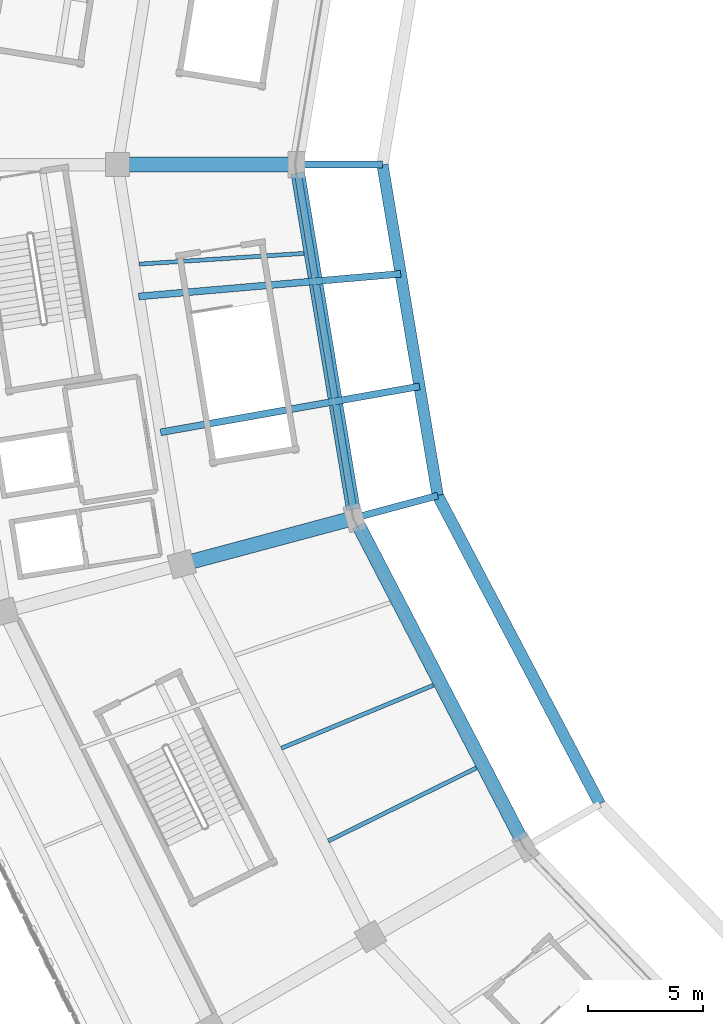
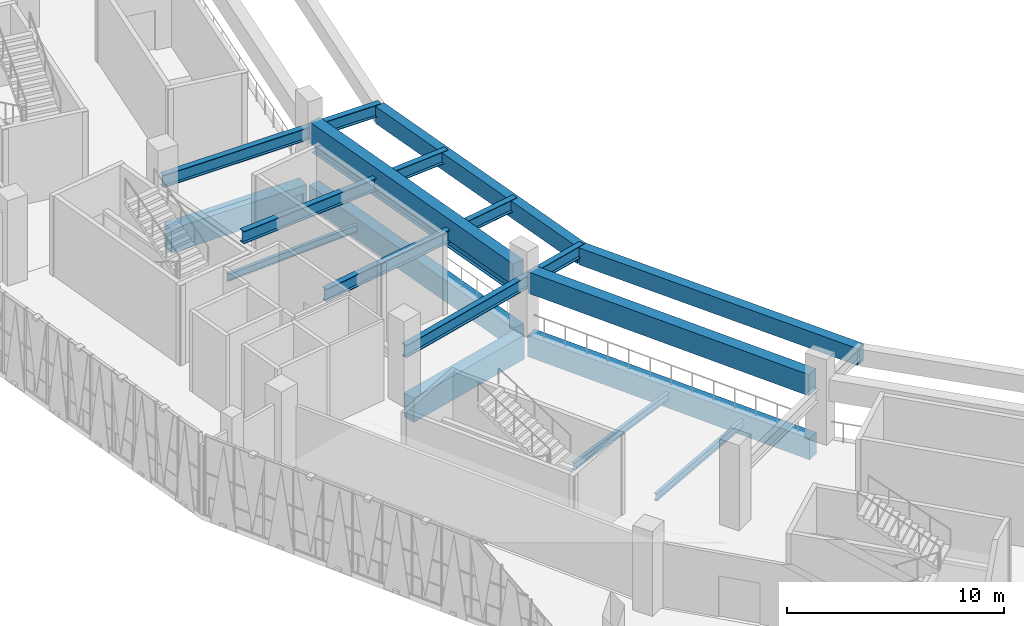
# One storey, part 21 of 179: 16 beams.
"""IFC4 building model written with IfcOpenShell, lengths in metres."""

from ifc_helpers import new_model, si_unit, direction, frame, origin, origin_2d, place, context, subcontext, project, spatial, rectangle, i_section, extrude, material, material_profile, profile_set, type_object, element, save


model = new_model("IFC4")

# Units and contexts
model_context = context("Model", 3, precision=1e-05, world=origin(), true_north=direction((0.0, 1.0)))
body_context = subcontext(model_context, "Body", "Model", "MODEL_VIEW")
ifc_project = project(units=[si_unit("LENGTHUNIT", "METRE"), si_unit("AREAUNIT", "SQUARE_METRE"), si_unit("VOLUMEUNIT", "CUBIC_METRE"), si_unit("PLANEANGLEUNIT", "RADIAN"), si_unit("MASSUNIT", "GRAM", prefix="KILO")], contexts=[model_context])

# Site, building, storey
site_placement = place(None, origin())
site = spatial("IfcSite", under=ifc_project, at=site_placement, CompositionType="ELEMENT")
building_placement = place(site_placement, origin())
building = spatial("IfcBuilding", under=site, at=building_placement, Name="Zevraka Park Crest Stadium", CompositionType="ELEMENT")
storey_placement = place(building_placement, frame((0.0, 0.0, 10.199951171875)))
storey = spatial("IfcBuildingStorey", under=building, at=storey_placement, Name="L02", CompositionType="ELEMENT", Elevation=10.199951171875)

# Beams
ifc_material_1 = material(Name="Concrete C40/50", Category="concrete")
ifc_material_profile_1 = material_profile(ifc_material_1, rectangle(XDim=0.64990234375, YDim=1.35009765625, at=origin_2d()), Name="RC 1350x650")
ifc_profile_set_1 = profile_set([ifc_material_profile_1], Name="Concrete C40/50")
beam_type_1 = type_object("IfcBeamType", Name="BG01", PredefinedType="BEAM", material=ifc_profile_set_1)
beam_1_placement = place(storey_placement, frame((37.199951171875, 92.0, -0.68505859375), z_axis=(-1.0, 0.0, 0.0), x_axis=(0.0, -1.0, 0.0)))
element("IfcBeam", 1, at=beam_1_placement, inside=storey, type_object=beam_type_1, Name="Radial Girder BG01 L02-BC-12", PredefinedType="BEAM", context=body_context, shape_type="SweptSolid", body=[
    extrude(rectangle(XDim=0.64990234375, YDim=1.35009765625, at=origin_2d()), origin(), (0.0, 0.0, 1.0), 7.199951171875),
])
beam_2_placement = place(storey_placement, frame((39.7490234375, 76.52197265625, -0.68505859375), z_axis=(-0.965945630245, -0.258745124417, 0.0), x_axis=(0.258745124417, -0.965945630245, 0.0)))
element("IfcBeam", 2, at=beam_2_placement, inside=storey, type_object=beam_type_1, Name="Radial Girder BG01 L02-BC-13", PredefinedType="BEAM", context=body_context, shape_type="SweptSolid", body=[
    extrude(rectangle(XDim=0.64990234375, YDim=1.35009765625, at=origin_2d()), origin(), (0.0, 0.0, 1.0), 7.2001953125),
])
ifc_material_2 = material(Name="Steel S355", Category="steel")
ifc_material_profile_2 = material_profile(ifc_material_2, i_section(OverallWidth=0.300048828125, OverallDepth=0.699951171875, WebThickness=0.01708984375, FlangeThickness=0.031982421875, at=origin_2d()), Name="HEB 700")
ifc_profile_set_2 = profile_set([ifc_material_profile_2], Name="Steel S355")
beam_type_2 = type_object("IfcBeamType", Name="BG06", PredefinedType="BEAM", material=ifc_profile_set_2)
beam_3_placement = place(storey_placement, frame((29.699951171875, 92.0, 2.670166015625), z_axis=(1.0, 0.0, 0.0), x_axis=(0.0, 1.0, 0.0)))
element("IfcBeam", 3, at=beam_3_placement, inside=storey, type_object=beam_type_2, Name="Upper Tier Back-Spanned Cantilever Girder BG06 12", PredefinedType="BEAM", context=body_context, shape_type="SweptSolid", body=[
    extrude(i_section(OverallWidth=0.300048828125, OverallDepth=0.699951171875, WebThickness=0.01708984375, FlangeThickness=0.031982421875, at=origin_2d()), origin(), (0.0, 0.0, 1.0), 11.550048828125),
])
beam_4_placement = place(storey_placement, frame((30.625, 86.251953125, 2.670166015625), z_axis=(0.996293385693, 0.086020286123, 0.0), x_axis=(-0.086020286123, 0.996293385693, 0.0)))
element("IfcBeam", 4, at=beam_4_placement, inside=storey, type_object=beam_type_2, Name="Upper Tier Vomitory Cantilever Girder BG06 12-V1", PredefinedType="BEAM", context=body_context, shape_type="SweptSolid", body=[
    extrude(i_section(OverallWidth=0.300048828125, OverallDepth=0.699951171875, WebThickness=0.01708984375, FlangeThickness=0.031982421875, at=origin_2d()), origin(), (0.0, 0.0, 1.0), 11.46337890625),
])
beam_5_placement = place(storey_placement, frame((31.5791015625, 80.3291015625, 2.670166015625), z_axis=(0.984599680197, 0.17482411091, 0.0), x_axis=(-0.17482411091, 0.984599680197, 0.0)))
element("IfcBeam", 5, at=beam_5_placement, inside=storey, type_object=beam_type_2, Name="Upper Tier Vomitory Cantilever Girder BG06 12-V2", PredefinedType="BEAM", context=body_context, shape_type="SweptSolid", body=[
    extrude(i_section(OverallWidth=0.300048828125, OverallDepth=0.699951171875, WebThickness=0.01708984375, FlangeThickness=0.031982421875, at=origin_2d()), origin(), (0.0, 0.0, 1.0), 11.46240234375),
])
beam_6_placement = place(storey_placement, frame((32.50390625, 74.5810546875, 2.670166015625), z_axis=(0.965915310866, 0.258858286006, 0.0), x_axis=(-0.258858286006, 0.965915310866, 0.0)))
element("IfcBeam", 6, at=beam_6_placement, inside=storey, type_object=beam_type_2, Name="Upper Tier Back-Spanned Cantilever Girder BG06 13", PredefinedType="BEAM", context=body_context, shape_type="SweptSolid", body=[
    extrude(i_section(OverallWidth=0.300048828125, OverallDepth=0.699951171875, WebThickness=0.01708984375, FlangeThickness=0.031982421875, at=origin_2d()), origin(), (0.0, 0.0, 1.0), 11.55078125),
])
ifc_material_3 = material(Name="Concrete C40/50", Category="concrete")
ifc_material_profile_3 = material_profile(ifc_material_3, rectangle(XDim=0.60009765625, YDim=1.199951171875, at=origin_2d()), Name="RC 1200x600")
ifc_profile_set_3 = profile_set([ifc_material_profile_3], Name="Concrete C40/50")
beam_type_3 = type_object("IfcBeamType", Name="RB01", PredefinedType="BEAM", material=ifc_profile_set_3)
beam_7_placement = place(storey_placement, frame((37.56201171875, 91.625, -0.60986328125), z_axis=(0.162654875862, -0.986683024764, 0.0), x_axis=(0.986683024764, 0.162654875862, 0.0)))
element("IfcBeam", 7, at=beam_7_placement, inside=storey, type_object=beam_type_3, Name="Ring Beam RB01 L02-B-12", PredefinedType="BEAM", context=body_context, shape_type="SweptSolid", body=[
    extrude(rectangle(XDim=0.60009765625, YDim=1.199951171875, at=origin_2d()), origin(), (0.0, 0.0, 1.0), 14.84765625),
])
beam_8_placement = place(storey_placement, frame((40.214111328125, 76.262939453125, -0.60986328125), z_axis=(0.460343993973, -0.887740619333, 0.0), x_axis=(0.887740619333, 0.460343993973, 0.0)))
element("IfcBeam", 8, at=beam_8_placement, inside=storey, type_object=beam_type_3, Name="Ring Beam RB01 L02-B-13", PredefinedType="BEAM", context=body_context, shape_type="SweptSolid", body=[
    extrude(rectangle(XDim=0.60009765625, YDim=1.199951171875, at=origin_2d()), origin(), (0.0, 0.0, 1.0), 15.405517578125),
])
beam_9_placement = place(storey_placement, frame((37.568115234375, 91.5859375, 2.965087890625), z_axis=(0.162696512919, -0.986676159986, 0.0), x_axis=(0.986676159986, 0.162696512919, 0.0)))
element("IfcBeam", 9, at=beam_9_placement, inside=storey, type_object=beam_type_3, Name="Upper Tier Fulcrum Raker Ring Beam RB01 12", PredefinedType="BEAM", context=body_context, shape_type="SweptSolid", body=[
    extrude(rectangle(XDim=0.60009765625, YDim=1.199951171875, at=origin_2d()), origin(), (0.0, 0.0, 1.0), 14.768798828125),
])
beam_10_placement = place(storey_placement, frame((40.23193359375, 76.22705078125, 2.965087890625), z_axis=(0.460431552282, -0.887695209891, 0.0), x_axis=(0.887695209891, 0.460431552282, 0.0)))
element("IfcBeam", 10, at=beam_10_placement, inside=storey, type_object=beam_type_3, Name="Upper Tier Fulcrum Raker Ring Beam RB01 13", PredefinedType="BEAM", context=body_context, shape_type="SweptSolid", body=[
    extrude(rectangle(XDim=0.60009765625, YDim=1.199951171875, at=origin_2d()), origin(), (0.0, 0.0, 1.0), 15.3251953125),
])
ifc_material_4 = material(Name="Concrete C40/50", Category="concrete")
ifc_material_profile_4 = material_profile(ifc_material_4, rectangle(XDim=0.5, YDim=0.949951171875, at=origin_2d()), Name="RC 950x500")
ifc_profile_set_4 = profile_set([ifc_material_profile_4], Name="Concrete C40/50")
beam_type_4 = type_object("IfcBeamType", Name="RB02", PredefinedType="BEAM", material=ifc_profile_set_4)
beam_11_placement = place(storey_placement, frame((41.251953125, 91.989990234375, 2.400146484375), z_axis=(0.164764836021, -0.986332879312, 0.0), x_axis=(0.986332879312, 0.164764836021, 0.0)))
element("IfcBeam", 11, at=beam_11_placement, inside=storey, type_object=beam_type_4, Name="Upper Tier Front Nose Ring Beam RB02 12", PredefinedType="BEAM", context=body_context, shape_type="SweptSolid", body=[
    extrude(rectangle(XDim=0.5, YDim=0.949951171875, at=origin_2d()), origin(), (0.0, 0.0, 1.0), 14.608642578125),
])
beam_12_placement = place(storey_placement, frame((43.666015625, 77.56201171875, 2.400146484375), z_axis=(0.465268790647, -0.885169448439, 0.0), x_axis=(0.885169448439, 0.465268790647, 0.0)))
element("IfcBeam", 12, at=beam_12_placement, inside=storey, type_object=beam_type_4, Name="Upper Tier Front Nose Ring Beam RB02 13", PredefinedType="BEAM", context=body_context, shape_type="SweptSolid", body=[
    extrude(rectangle(XDim=0.5, YDim=0.949951171875, at=origin_2d()), origin(), (0.0, 0.0, 1.0), 15.169921875),
])
ifc_material_5 = material(Name="Steel S355", Category="steel")
ifc_material_profile_5 = material_profile(ifc_material_5, i_section(OverallWidth=0.300048828125, OverallDepth=0.550048828125, WebThickness=0.014892578125, FlangeThickness=0.029052734375, at=origin_2d()), Name="HEB 550")
ifc_profile_set_5 = profile_set([ifc_material_profile_5], Name="Steel S355")
beam_type_5 = type_object("IfcBeamType", Name="RB04", PredefinedType="BEAM", material=ifc_profile_set_5)
beam_13_placement = place(storey_placement, frame((37.56494140625, 91.60498046875, 2.047119140625), z_axis=(0.16270359973, -0.98667499139, 0.0), x_axis=(0.98667499139, 0.16270359973, 0.0)))
element("IfcBeam", 13, at=beam_13_placement, inside=storey, type_object=beam_type_5, Name="Vomitory Cantilever Fulcrum Support Beam RB04 12", PredefinedType="BEAM", context=body_context, shape_type="SweptSolid", body=[
    extrude(i_section(OverallWidth=0.300048828125, OverallDepth=0.550048828125, WebThickness=0.014892578125, FlangeThickness=0.029052734375, at=origin_2d()), origin(), (0.0, 0.0, 1.0), 14.80712890625),
])
ifc_material_6 = material(Name="Steel S355", Category="steel")
ifc_material_profile_6 = material_profile(ifc_material_6, i_section(OverallWidth=0.179931640625, OverallDepth=0.39990234375, WebThickness=0.008544921875, FlangeThickness=0.013427734375, at=origin_2d()), Name="IPE 400")
ifc_profile_set_6 = profile_set([ifc_material_profile_6], Name="Steel S355")
beam_type_6 = type_object("IfcBeamType", Name="SJ09", PredefinedType="JOIST", material=ifc_profile_set_6)
beam_14_placement = place(storey_placement, frame((37.820068359375, 88.12890625, -0.488037109375), z_axis=(-0.997879386875, -0.065090162464, 0.0), x_axis=(0.065090162464, -0.997879386875, 0.0)))
element("IfcBeam", 14, at=beam_14_placement, inside=storey, type_object=beam_type_6, Name="Floor Joist SJ09 L02-BC-12-1", PredefinedType="JOIST", context=body_context, shape_type="SweptSolid", body=[
    extrude(i_section(OverallWidth=0.179931640625, OverallDepth=0.39990234375, WebThickness=0.008544921875, FlangeThickness=0.013427734375, at=origin_2d()), origin(), (0.0, 0.0, 1.0), 7.190185546875),
])
beam_15_placement = place(storey_placement, frame((43.468994140625, 69.303955078125, -0.488037109375), z_axis=(-0.923904434651, -0.382623307749, 0.0), x_axis=(0.382623307749, -0.923904434651, 0.0)))
element("IfcBeam", 15, at=beam_15_placement, inside=storey, type_object=beam_type_6, Name="Floor Joist SJ09 L02-BC-13-2", PredefinedType="JOIST", context=body_context, shape_type="SweptSolid", body=[
    extrude(i_section(OverallWidth=0.179931640625, OverallDepth=0.39990234375, WebThickness=0.008544921875, FlangeThickness=0.013427734375, at=origin_2d()), origin(), (0.0, 0.0, 1.0), 7.173828125),
])
beam_16_placement = place(storey_placement, frame((45.337890625, 65.697998046875, -0.488037109375), z_axis=(-0.89675774001, -0.442521813849, 0.0), x_axis=(0.442521813849, -0.89675774001, 0.0)))
element("IfcBeam", 16, at=beam_16_placement, inside=storey, type_object=beam_type_6, Name="Floor Joist SJ09 L02-BC-13-3", PredefinedType="JOIST", context=body_context, shape_type="SweptSolid", body=[
    extrude(i_section(OverallWidth=0.179931640625, OverallDepth=0.39990234375, WebThickness=0.008544921875, FlangeThickness=0.013427734375, at=origin_2d()), origin(), (0.0, 0.0, 1.0), 7.1904296875),
])

save(model, "model.ifc")
